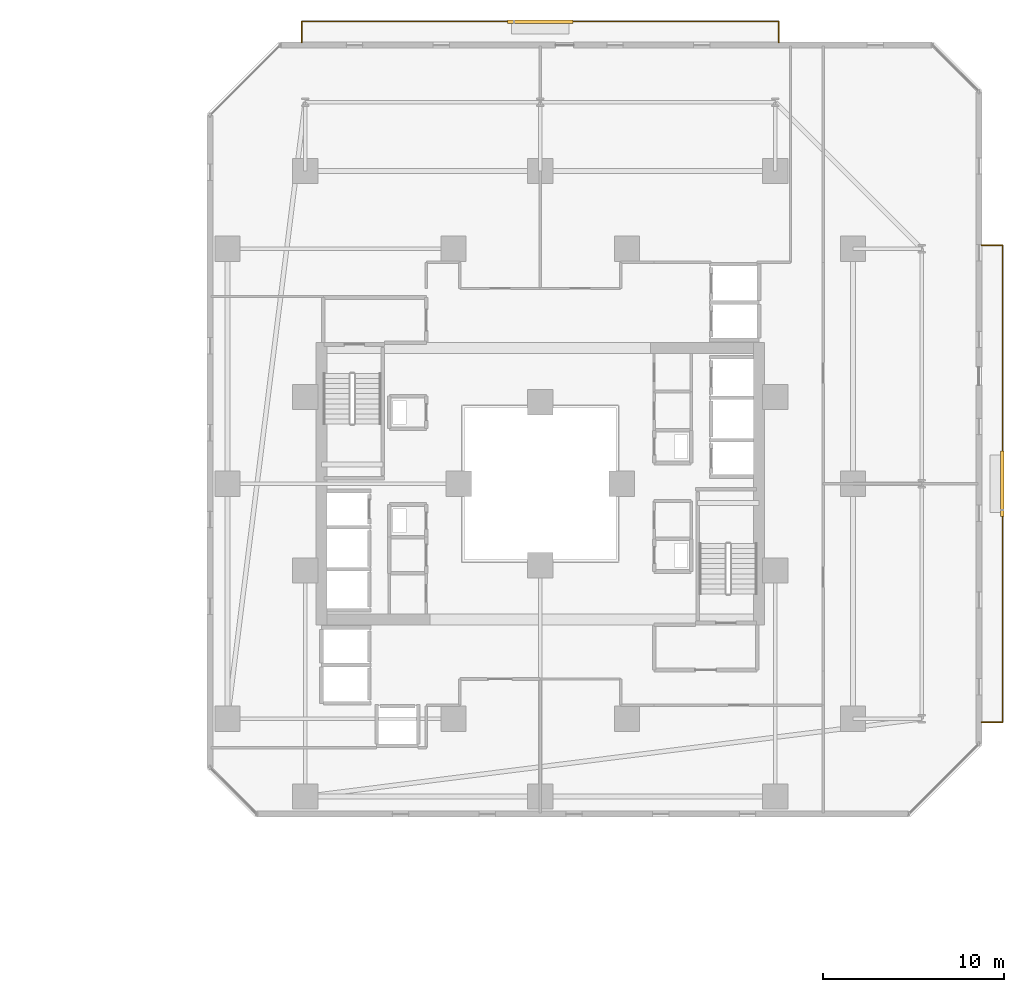
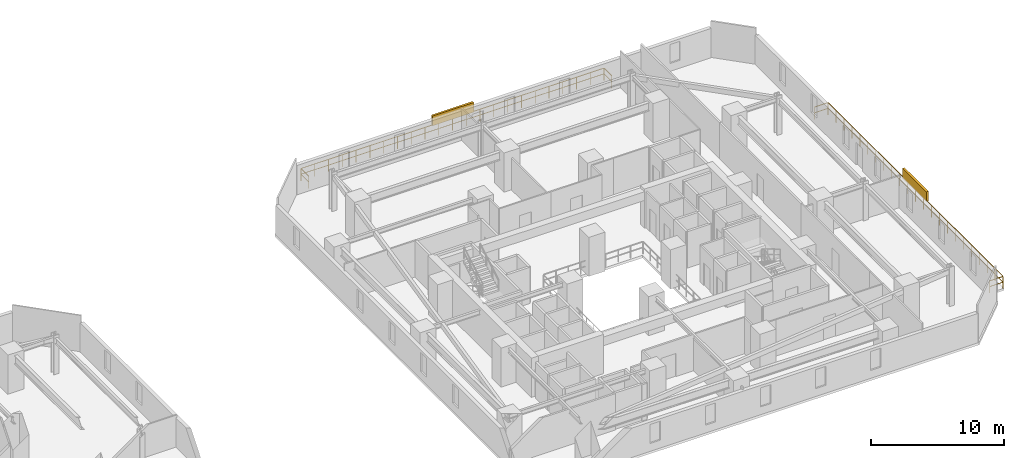
# One storey, part 34 of 34: 2 railings, 2 shading devices.
"""IFC4 building model written with IfcOpenShell, lengths in metres."""

from ifc_helpers import new_model, si_unit, direction, frame, origin, origin_2d, place, context, subcontext, project, spatial, rectangle, extrude, material, type_object, element, save


model = new_model("IFC4")

# Units and contexts
model_context = context("Model", 3, precision=1e-05, world=origin(), true_north=direction((0.0, 1.0)))
body_context = subcontext(model_context, "Body", "Model", "MODEL_VIEW")
ifc_project = project(units=[si_unit("LENGTHUNIT", "METRE"), si_unit("AREAUNIT", "SQUARE_METRE"), si_unit("VOLUMEUNIT", "CUBIC_METRE"), si_unit("PLANEANGLEUNIT", "RADIAN"), si_unit("MASSUNIT", "GRAM", prefix="KILO")], contexts=[model_context])

# Site, building, storey
site_placement = place(None, origin())
site = spatial("IfcSite", under=ifc_project, at=site_placement, CompositionType="ELEMENT")
building_placement = place(site_placement, origin())
building = spatial("IfcBuilding", under=site, at=building_placement, Name="Thornwick Lancets Civic Towers", CompositionType="ELEMENT")
storey_placement = place(building_placement, frame((0.0, 0.0, 53.699951171875)))
storey = spatial("IfcBuildingStorey", under=building, at=storey_placement, Name="L13", CompositionType="ELEMENT", Elevation=53.699951171875)

# Railings
ifc_material_1 = material(Name="Terracotta-capped laminated glass balustrade S355", Category="masonry")
railing_type = type_object("IfcRailingType", Name="RAIL_TERR_GUARD", PredefinedType="GUARDRAIL", material=ifc_material_1)
railing_1_placement = place(storey_placement, frame((112.89990234375, 13.800048828125, 0.0)))
element("IfcRailing", 1, at=railing_1_placement, inside=storey, type_object=railing_type, Name="L13 Tower B Balcony Guard E", PredefinedType="GUARDRAIL", context=body_context, shape_type="SweptSolid", body=[
    extrude(rectangle(XDim=0.048095703125, YDim=0.048095703125, at=origin_2d()), frame((0.0, 0.0, 1.1259765625), z_axis=(1.0, 0.0, 0.0), x_axis=(0.0, 1.0, 0.0)), (0.0, 0.0, 1.0), 1.138916015625),
    extrude(rectangle(XDim=0.0419921875, YDim=0.0419921875, at=origin_2d()), frame((0.03759765625, 0.0, 0.597900390625), z_axis=(1.0, 0.0, 0.0), x_axis=(0.0, 1.0, 0.0)), (0.0, 0.0, 1.0), 1.09521484375),
    extrude(rectangle(XDim=0.048095703125, YDim=0.048095703125, at=origin_2d()), frame((1.170166015625, 0.03125, 1.1259765625), z_axis=(0.0, 1.0, 0.0), x_axis=(-1.0, 0.0, 0.0)), (0.0, 0.0, 1.0), 26.33740234375),
    extrude(rectangle(XDim=0.0419921875, YDim=0.0419921875, at=origin_2d()), frame((1.170166015625, 0.03759765625, 0.597900390625), z_axis=(0.0, 1.0, 0.0), x_axis=(-1.0, 0.0, 0.0)), (0.0, 0.0, 1.0), 1.125),
    extrude(rectangle(XDim=0.0419921875, YDim=0.0419921875, at=origin_2d()), frame((1.170166015625, 1.237548828125, 0.597900390625), z_axis=(0.0, 1.0, 0.0), x_axis=(-1.0, 0.0, 0.0)), (0.0, 0.0, 1.0), 1.125),
    extrude(rectangle(XDim=0.0419921875, YDim=0.0419921875, at=origin_2d()), frame((1.170166015625, 2.4375, 0.597900390625), z_axis=(0.0, 1.0, 0.0), x_axis=(-1.0, 0.0, 0.0)), (0.0, 0.0, 1.0), 1.125),
    extrude(rectangle(XDim=0.0419921875, YDim=0.0419921875, at=origin_2d()), frame((1.170166015625, 3.637451171875, 0.597900390625), z_axis=(0.0, 1.0, 0.0), x_axis=(-1.0, 0.0, 0.0)), (0.0, 0.0, 1.0), 1.125),
    extrude(rectangle(XDim=0.0419921875, YDim=0.0419921875, at=origin_2d()), frame((1.170166015625, 4.83740234375, 0.597900390625), z_axis=(0.0, 1.0, 0.0), x_axis=(-1.0, 0.0, 0.0)), (0.0, 0.0, 1.0), 1.125),
    extrude(rectangle(XDim=0.0419921875, YDim=0.0419921875, at=origin_2d()), frame((1.170166015625, 6.037353515625, 0.597900390625), z_axis=(0.0, 1.0, 0.0), x_axis=(-1.0, 0.0, 0.0)), (0.0, 0.0, 1.0), 1.125),
    extrude(rectangle(XDim=0.0419921875, YDim=0.0419921875, at=origin_2d()), frame((1.170166015625, 7.237548828125, 0.597900390625), z_axis=(0.0, 1.0, 0.0), x_axis=(-1.0, 0.0, 0.0)), (0.0, 0.0, 1.0), 1.125),
    extrude(rectangle(XDim=0.0419921875, YDim=0.0419921875, at=origin_2d()), frame((1.170166015625, 8.4375, 0.597900390625), z_axis=(0.0, 1.0, 0.0), x_axis=(-1.0, 0.0, 0.0)), (0.0, 0.0, 1.0), 1.125),
    extrude(rectangle(XDim=0.0419921875, YDim=0.0419921875, at=origin_2d()), frame((1.170166015625, 9.637451171875, 0.597900390625), z_axis=(0.0, 1.0, 0.0), x_axis=(-1.0, 0.0, 0.0)), (0.0, 0.0, 1.0), 1.125),
    extrude(rectangle(XDim=0.0419921875, YDim=0.0419921875, at=origin_2d()), frame((1.170166015625, 10.83740234375, 0.597900390625), z_axis=(0.0, 1.0, 0.0), x_axis=(-1.0, 0.0, 0.0)), (0.0, 0.0, 1.0), 1.125),
    extrude(rectangle(XDim=0.0419921875, YDim=0.0419921875, at=origin_2d()), frame((1.170166015625, 12.037353515625, 0.597900390625), z_axis=(0.0, 1.0, 0.0), x_axis=(-1.0, 0.0, 0.0)), (0.0, 0.0, 1.0), 1.125),
    extrude(rectangle(XDim=0.0419921875, YDim=0.0419921875, at=origin_2d()), frame((1.170166015625, 13.237548828125, 0.597900390625), z_axis=(0.0, 1.0, 0.0), x_axis=(-1.0, 0.0, 0.0)), (0.0, 0.0, 1.0), 1.125),
    extrude(rectangle(XDim=0.0419921875, YDim=0.0419921875, at=origin_2d()), frame((1.170166015625, 14.4375, 0.597900390625), z_axis=(0.0, 1.0, 0.0), x_axis=(-1.0, 0.0, 0.0)), (0.0, 0.0, 1.0), 1.125),
    extrude(rectangle(XDim=0.0419921875, YDim=0.0419921875, at=origin_2d()), frame((1.170166015625, 15.637451171875, 0.597900390625), z_axis=(0.0, 1.0, 0.0), x_axis=(-1.0, 0.0, 0.0)), (0.0, 0.0, 1.0), 1.125),
    extrude(rectangle(XDim=0.0419921875, YDim=0.0419921875, at=origin_2d()), frame((1.170166015625, 16.83740234375, 0.597900390625), z_axis=(0.0, 1.0, 0.0), x_axis=(-1.0, 0.0, 0.0)), (0.0, 0.0, 1.0), 1.125),
    extrude(rectangle(XDim=0.0419921875, YDim=0.0419921875, at=origin_2d()), frame((1.170166015625, 18.037353515625, 0.597900390625), z_axis=(0.0, 1.0, 0.0), x_axis=(-1.0, 0.0, 0.0)), (0.0, 0.0, 1.0), 1.125),
    extrude(rectangle(XDim=0.0419921875, YDim=0.0419921875, at=origin_2d()), frame((1.170166015625, 19.2373046875, 0.597900390625), z_axis=(0.0, 1.0, 0.0), x_axis=(-1.0, 0.0, 0.0)), (0.0, 0.0, 1.0), 1.125),
    extrude(rectangle(XDim=0.0419921875, YDim=0.0419921875, at=origin_2d()), frame((1.170166015625, 20.4375, 0.597900390625), z_axis=(0.0, 1.0, 0.0), x_axis=(-1.0, 0.0, 0.0)), (0.0, 0.0, 1.0), 1.125),
    extrude(rectangle(XDim=0.0419921875, YDim=0.0419921875, at=origin_2d()), frame((1.170166015625, 21.637451171875, 0.597900390625), z_axis=(0.0, 1.0, 0.0), x_axis=(-1.0, 0.0, 0.0)), (0.0, 0.0, 1.0), 1.125),
    extrude(rectangle(XDim=0.0419921875, YDim=0.0419921875, at=origin_2d()), frame((1.170166015625, 22.83740234375, 0.597900390625), z_axis=(0.0, 1.0, 0.0), x_axis=(-1.0, 0.0, 0.0)), (0.0, 0.0, 1.0), 1.125),
    extrude(rectangle(XDim=0.0419921875, YDim=0.0419921875, at=origin_2d()), frame((1.170166015625, 24.037353515625, 0.597900390625), z_axis=(0.0, 1.0, 0.0), x_axis=(-1.0, 0.0, 0.0)), (0.0, 0.0, 1.0), 1.125),
    extrude(rectangle(XDim=0.0419921875, YDim=0.0419921875, at=origin_2d()), frame((1.170166015625, 25.2373046875, 0.597900390625), z_axis=(0.0, 1.0, 0.0), x_axis=(-1.0, 0.0, 0.0)), (0.0, 0.0, 1.0), 1.125),
    extrude(rectangle(XDim=0.048095703125, YDim=0.048095703125, at=origin_2d()), frame((1.138916015625, 26.39990234375, 1.1259765625), z_axis=(-1.0, 0.0, 0.0), x_axis=(0.0, -1.0, 0.0)), (0.0, 0.0, 1.0), 1.138916015625),
    extrude(rectangle(XDim=0.0419921875, YDim=0.0419921875, at=origin_2d()), frame((1.132568359375, 26.39990234375, 0.597900390625), z_axis=(-1.0, 0.0, 0.0), x_axis=(0.0, -1.0, 0.0)), (0.0, 0.0, 1.0), 1.09521484375),
    extrude(rectangle(XDim=0.0419921875, YDim=0.0419921875, at=origin_2d()), origin(), (0.0, 0.0, 1.0), 1.095703125),
    extrude(rectangle(XDim=0.0419921875, YDim=0.0419921875, at=origin_2d()), frame((1.170166015625, 0.0, 0.0)), (0.0, 0.0, 1.0), 1.095703125),
    extrude(rectangle(XDim=0.0419921875, YDim=0.0419921875, at=origin_2d()), frame((1.170166015625, 1.199951171875, 0.0)), (0.0, 0.0, 1.0), 1.095703125),
    extrude(rectangle(XDim=0.0419921875, YDim=0.0419921875, at=origin_2d()), frame((1.170166015625, 2.39990234375, 0.0)), (0.0, 0.0, 1.0), 1.095703125),
    extrude(rectangle(XDim=0.0419921875, YDim=0.0419921875, at=origin_2d()), frame((1.170166015625, 3.60009765625, 0.0)), (0.0, 0.0, 1.0), 1.095703125),
    extrude(rectangle(XDim=0.0419921875, YDim=0.0419921875, at=origin_2d()), frame((1.170166015625, 4.800048828125, 0.0)), (0.0, 0.0, 1.0), 1.095703125),
    extrude(rectangle(XDim=0.0419921875, YDim=0.0419921875, at=origin_2d()), frame((1.170166015625, 6.0, 0.0)), (0.0, 0.0, 1.0), 1.095703125),
    extrude(rectangle(XDim=0.0419921875, YDim=0.0419921875, at=origin_2d()), frame((1.170166015625, 7.199951171875, 0.0)), (0.0, 0.0, 1.0), 1.095703125),
    extrude(rectangle(XDim=0.0419921875, YDim=0.0419921875, at=origin_2d()), frame((1.170166015625, 8.39990234375, 0.0)), (0.0, 0.0, 1.0), 1.095703125),
    extrude(rectangle(XDim=0.0419921875, YDim=0.0419921875, at=origin_2d()), frame((1.170166015625, 9.599853515625, 0.0)), (0.0, 0.0, 1.0), 1.095703125),
    extrude(rectangle(XDim=0.0419921875, YDim=0.0419921875, at=origin_2d()), frame((1.170166015625, 10.800048828125, 0.0)), (0.0, 0.0, 1.0), 1.095703125),
    extrude(rectangle(XDim=0.0419921875, YDim=0.0419921875, at=origin_2d()), frame((1.170166015625, 12.0, 0.0)), (0.0, 0.0, 1.0), 1.095703125),
    extrude(rectangle(XDim=0.0419921875, YDim=0.0419921875, at=origin_2d()), frame((1.170166015625, 13.199951171875, 0.0)), (0.0, 0.0, 1.0), 1.095703125),
    extrude(rectangle(XDim=0.0419921875, YDim=0.0419921875, at=origin_2d()), frame((1.170166015625, 14.39990234375, 0.0)), (0.0, 0.0, 1.0), 1.095703125),
    extrude(rectangle(XDim=0.0419921875, YDim=0.0419921875, at=origin_2d()), frame((1.170166015625, 15.599853515625, 0.0)), (0.0, 0.0, 1.0), 1.095703125),
    extrude(rectangle(XDim=0.0419921875, YDim=0.0419921875, at=origin_2d()), frame((1.170166015625, 16.800048828125, 0.0)), (0.0, 0.0, 1.0), 1.095703125),
    extrude(rectangle(XDim=0.0419921875, YDim=0.0419921875, at=origin_2d()), frame((1.170166015625, 18.0, 0.0)), (0.0, 0.0, 1.0), 1.095703125),
    extrude(rectangle(XDim=0.0419921875, YDim=0.0419921875, at=origin_2d()), frame((1.170166015625, 19.199951171875, 0.0)), (0.0, 0.0, 1.0), 1.095703125),
    extrude(rectangle(XDim=0.0419921875, YDim=0.0419921875, at=origin_2d()), frame((1.170166015625, 20.39990234375, 0.0)), (0.0, 0.0, 1.0), 1.095703125),
    extrude(rectangle(XDim=0.0419921875, YDim=0.0419921875, at=origin_2d()), frame((1.170166015625, 21.599853515625, 0.0)), (0.0, 0.0, 1.0), 1.095703125),
    extrude(rectangle(XDim=0.0419921875, YDim=0.0419921875, at=origin_2d()), frame((1.170166015625, 22.7998046875, 0.0)), (0.0, 0.0, 1.0), 1.095703125),
    extrude(rectangle(XDim=0.0419921875, YDim=0.0419921875, at=origin_2d()), frame((1.170166015625, 24.0, 0.0)), (0.0, 0.0, 1.0), 1.095703125),
    extrude(rectangle(XDim=0.0419921875, YDim=0.0419921875, at=origin_2d()), frame((1.170166015625, 25.199951171875, 0.0)), (0.0, 0.0, 1.0), 1.095703125),
    extrude(rectangle(XDim=0.0419921875, YDim=0.0419921875, at=origin_2d()), frame((1.170166015625, 26.39990234375, 0.0)), (0.0, 0.0, 1.0), 1.095703125),
    extrude(rectangle(XDim=0.0419921875, YDim=0.0419921875, at=origin_2d()), frame((0.0, 26.39990234375, 0.0)), (0.0, 0.0, 1.0), 1.095703125),
])
railing_2_placement = place(storey_placement, frame((75.300048828125, 51.39990234375, 0.0)))
element("IfcRailing", 2, at=railing_2_placement, inside=storey, type_object=railing_type, Name="L13 Tower B Balcony Guard N", PredefinedType="GUARDRAIL", context=body_context, shape_type="SweptSolid", body=[
    extrude(rectangle(XDim=0.048095703125, YDim=0.048095703125, at=origin_2d()), frame((0.0, 0.0, 1.1259765625), z_axis=(0.0, 1.0, 0.0), x_axis=(-1.0, 0.0, 0.0)), (0.0, 0.0, 1.0), 1.138916015625),
    extrude(rectangle(XDim=0.0419921875, YDim=0.0419921875, at=origin_2d()), frame((0.0, 0.03759765625, 0.597900390625), z_axis=(0.0, 1.0, 0.0), x_axis=(-1.0, 0.0, 0.0)), (0.0, 0.0, 1.0), 1.09521484375),
    extrude(rectangle(XDim=0.048095703125, YDim=0.048095703125, at=origin_2d()), frame((0.03125, 1.170166015625, 1.1259765625), z_axis=(1.0, 0.0, 0.0), x_axis=(0.0, 1.0, 0.0)), (0.0, 0.0, 1.0), 26.33740234375),
    extrude(rectangle(XDim=0.0419921875, YDim=0.0419921875, at=origin_2d()), frame((0.03759765625, 1.170166015625, 0.597900390625), z_axis=(1.0, 0.0, 0.0), x_axis=(0.0, 1.0, 0.0)), (0.0, 0.0, 1.0), 1.125),
    extrude(rectangle(XDim=0.0419921875, YDim=0.0419921875, at=origin_2d()), frame((1.237548828125, 1.170166015625, 0.597900390625), z_axis=(1.0, 0.0, 0.0), x_axis=(0.0, 1.0, 0.0)), (0.0, 0.0, 1.0), 1.125),
    extrude(rectangle(XDim=0.0419921875, YDim=0.0419921875, at=origin_2d()), frame((2.4375, 1.170166015625, 0.597900390625), z_axis=(1.0, 0.0, 0.0), x_axis=(0.0, 1.0, 0.0)), (0.0, 0.0, 1.0), 1.125),
    extrude(rectangle(XDim=0.0419921875, YDim=0.0419921875, at=origin_2d()), frame((3.637451171875, 1.170166015625, 0.597900390625), z_axis=(1.0, 0.0, 0.0), x_axis=(0.0, 1.0, 0.0)), (0.0, 0.0, 1.0), 1.125),
    extrude(rectangle(XDim=0.0419921875, YDim=0.0419921875, at=origin_2d()), frame((4.83740234375, 1.170166015625, 0.597900390625), z_axis=(1.0, 0.0, 0.0), x_axis=(0.0, 1.0, 0.0)), (0.0, 0.0, 1.0), 1.125),
    extrude(rectangle(XDim=0.0419921875, YDim=0.0419921875, at=origin_2d()), frame((6.037353515625, 1.170166015625, 0.597900390625), z_axis=(1.0, 0.0, 0.0), x_axis=(0.0, 1.0, 0.0)), (0.0, 0.0, 1.0), 1.125),
    extrude(rectangle(XDim=0.0419921875, YDim=0.0419921875, at=origin_2d()), frame((7.237548828125, 1.170166015625, 0.597900390625), z_axis=(1.0, 0.0, 0.0), x_axis=(0.0, 1.0, 0.0)), (0.0, 0.0, 1.0), 1.125),
    extrude(rectangle(XDim=0.0419921875, YDim=0.0419921875, at=origin_2d()), frame((8.4375, 1.170166015625, 0.597900390625), z_axis=(1.0, 0.0, 0.0), x_axis=(0.0, 1.0, 0.0)), (0.0, 0.0, 1.0), 1.125),
    extrude(rectangle(XDim=0.0419921875, YDim=0.0419921875, at=origin_2d()), frame((9.637451171875, 1.170166015625, 0.597900390625), z_axis=(1.0, 0.0, 0.0), x_axis=(0.0, 1.0, 0.0)), (0.0, 0.0, 1.0), 1.125),
    extrude(rectangle(XDim=0.0419921875, YDim=0.0419921875, at=origin_2d()), frame((10.83740234375, 1.170166015625, 0.597900390625), z_axis=(1.0, 0.0, 0.0), x_axis=(0.0, 1.0, 0.0)), (0.0, 0.0, 1.0), 1.125),
    extrude(rectangle(XDim=0.0419921875, YDim=0.0419921875, at=origin_2d()), frame((12.037353515625, 1.170166015625, 0.597900390625), z_axis=(1.0, 0.0, 0.0), x_axis=(0.0, 1.0, 0.0)), (0.0, 0.0, 1.0), 1.125),
    extrude(rectangle(XDim=0.0419921875, YDim=0.0419921875, at=origin_2d()), frame((13.237548828125, 1.170166015625, 0.597900390625), z_axis=(1.0, 0.0, 0.0), x_axis=(0.0, 1.0, 0.0)), (0.0, 0.0, 1.0), 1.125),
    extrude(rectangle(XDim=0.0419921875, YDim=0.0419921875, at=origin_2d()), frame((14.4375, 1.170166015625, 0.597900390625), z_axis=(1.0, 0.0, 0.0), x_axis=(0.0, 1.0, 0.0)), (0.0, 0.0, 1.0), 1.125),
    extrude(rectangle(XDim=0.0419921875, YDim=0.0419921875, at=origin_2d()), frame((15.637451171875, 1.170166015625, 0.597900390625), z_axis=(1.0, 0.0, 0.0), x_axis=(0.0, 1.0, 0.0)), (0.0, 0.0, 1.0), 1.125),
    extrude(rectangle(XDim=0.0419921875, YDim=0.0419921875, at=origin_2d()), frame((16.83740234375, 1.170166015625, 0.597900390625), z_axis=(1.0, 0.0, 0.0), x_axis=(0.0, 1.0, 0.0)), (0.0, 0.0, 1.0), 1.125),
    extrude(rectangle(XDim=0.0419921875, YDim=0.0419921875, at=origin_2d()), frame((18.037353515625, 1.170166015625, 0.597900390625), z_axis=(1.0, 0.0, 0.0), x_axis=(0.0, 1.0, 0.0)), (0.0, 0.0, 1.0), 1.125),
    extrude(rectangle(XDim=0.0419921875, YDim=0.0419921875, at=origin_2d()), frame((19.2373046875, 1.170166015625, 0.597900390625), z_axis=(1.0, 0.0, 0.0), x_axis=(0.0, 1.0, 0.0)), (0.0, 0.0, 1.0), 1.125),
    extrude(rectangle(XDim=0.0419921875, YDim=0.0419921875, at=origin_2d()), frame((20.4375, 1.170166015625, 0.597900390625), z_axis=(1.0, 0.0, 0.0), x_axis=(0.0, 1.0, 0.0)), (0.0, 0.0, 1.0), 1.125),
    extrude(rectangle(XDim=0.0419921875, YDim=0.0419921875, at=origin_2d()), frame((21.637451171875, 1.170166015625, 0.597900390625), z_axis=(1.0, 0.0, 0.0), x_axis=(0.0, 1.0, 0.0)), (0.0, 0.0, 1.0), 1.125),
    extrude(rectangle(XDim=0.0419921875, YDim=0.0419921875, at=origin_2d()), frame((22.83740234375, 1.170166015625, 0.597900390625), z_axis=(1.0, 0.0, 0.0), x_axis=(0.0, 1.0, 0.0)), (0.0, 0.0, 1.0), 1.125),
    extrude(rectangle(XDim=0.0419921875, YDim=0.0419921875, at=origin_2d()), frame((24.037353515625, 1.170166015625, 0.597900390625), z_axis=(1.0, 0.0, 0.0), x_axis=(0.0, 1.0, 0.0)), (0.0, 0.0, 1.0), 1.125),
    extrude(rectangle(XDim=0.0419921875, YDim=0.0419921875, at=origin_2d()), frame((25.2373046875, 1.170166015625, 0.597900390625), z_axis=(1.0, 0.0, 0.0), x_axis=(0.0, 1.0, 0.0)), (0.0, 0.0, 1.0), 1.125),
    extrude(rectangle(XDim=0.048095703125, YDim=0.048095703125, at=origin_2d()), frame((26.39990234375, 1.138916015625, 1.1259765625), z_axis=(0.0, -1.0, 0.0), x_axis=(1.0, 0.0, 0.0)), (0.0, 0.0, 1.0), 1.138916015625),
    extrude(rectangle(XDim=0.0419921875, YDim=0.0419921875, at=origin_2d()), frame((26.39990234375, 1.132568359375, 0.597900390625), z_axis=(0.0, -1.0, 0.0), x_axis=(1.0, 0.0, 0.0)), (0.0, 0.0, 1.0), 1.09521484375),
    extrude(rectangle(XDim=0.0419921875, YDim=0.0419921875, at=origin_2d()), origin(), (0.0, 0.0, 1.0), 1.095703125),
    extrude(rectangle(XDim=0.0419921875, YDim=0.0419921875, at=origin_2d()), frame((0.0, 1.170166015625, 0.0)), (0.0, 0.0, 1.0), 1.095703125),
    extrude(rectangle(XDim=0.0419921875, YDim=0.0419921875, at=origin_2d()), frame((1.199951171875, 1.170166015625, 0.0)), (0.0, 0.0, 1.0), 1.095703125),
    extrude(rectangle(XDim=0.0419921875, YDim=0.0419921875, at=origin_2d()), frame((2.39990234375, 1.170166015625, 0.0)), (0.0, 0.0, 1.0), 1.095703125),
    extrude(rectangle(XDim=0.0419921875, YDim=0.0419921875, at=origin_2d()), frame((3.60009765625, 1.170166015625, 0.0)), (0.0, 0.0, 1.0), 1.095703125),
    extrude(rectangle(XDim=0.0419921875, YDim=0.0419921875, at=origin_2d()), frame((4.800048828125, 1.170166015625, 0.0)), (0.0, 0.0, 1.0), 1.095703125),
    extrude(rectangle(XDim=0.0419921875, YDim=0.0419921875, at=origin_2d()), frame((6.0, 1.170166015625, 0.0)), (0.0, 0.0, 1.0), 1.095703125),
    extrude(rectangle(XDim=0.0419921875, YDim=0.0419921875, at=origin_2d()), frame((7.199951171875, 1.170166015625, 0.0)), (0.0, 0.0, 1.0), 1.095703125),
    extrude(rectangle(XDim=0.0419921875, YDim=0.0419921875, at=origin_2d()), frame((8.39990234375, 1.170166015625, 0.0)), (0.0, 0.0, 1.0), 1.095703125),
    extrude(rectangle(XDim=0.0419921875, YDim=0.0419921875, at=origin_2d()), frame((9.599853515625, 1.170166015625, 0.0)), (0.0, 0.0, 1.0), 1.095703125),
    extrude(rectangle(XDim=0.0419921875, YDim=0.0419921875, at=origin_2d()), frame((10.800048828125, 1.170166015625, 0.0)), (0.0, 0.0, 1.0), 1.095703125),
    extrude(rectangle(XDim=0.0419921875, YDim=0.0419921875, at=origin_2d()), frame((12.0, 1.170166015625, 0.0)), (0.0, 0.0, 1.0), 1.095703125),
    extrude(rectangle(XDim=0.0419921875, YDim=0.0419921875, at=origin_2d()), frame((13.199951171875, 1.170166015625, 0.0)), (0.0, 0.0, 1.0), 1.095703125),
    extrude(rectangle(XDim=0.0419921875, YDim=0.0419921875, at=origin_2d()), frame((14.39990234375, 1.170166015625, 0.0)), (0.0, 0.0, 1.0), 1.095703125),
    extrude(rectangle(XDim=0.0419921875, YDim=0.0419921875, at=origin_2d()), frame((15.599853515625, 1.170166015625, 0.0)), (0.0, 0.0, 1.0), 1.095703125),
    extrude(rectangle(XDim=0.0419921875, YDim=0.0419921875, at=origin_2d()), frame((16.800048828125, 1.170166015625, 0.0)), (0.0, 0.0, 1.0), 1.095703125),
    extrude(rectangle(XDim=0.0419921875, YDim=0.0419921875, at=origin_2d()), frame((18.0, 1.170166015625, 0.0)), (0.0, 0.0, 1.0), 1.095703125),
    extrude(rectangle(XDim=0.0419921875, YDim=0.0419921875, at=origin_2d()), frame((19.199951171875, 1.170166015625, 0.0)), (0.0, 0.0, 1.0), 1.095703125),
    extrude(rectangle(XDim=0.0419921875, YDim=0.0419921875, at=origin_2d()), frame((20.39990234375, 1.170166015625, 0.0)), (0.0, 0.0, 1.0), 1.095703125),
    extrude(rectangle(XDim=0.0419921875, YDim=0.0419921875, at=origin_2d()), frame((21.599853515625, 1.170166015625, 0.0)), (0.0, 0.0, 1.0), 1.095703125),
    extrude(rectangle(XDim=0.0419921875, YDim=0.0419921875, at=origin_2d()), frame((22.7998046875, 1.170166015625, 0.0)), (0.0, 0.0, 1.0), 1.095703125),
    extrude(rectangle(XDim=0.0419921875, YDim=0.0419921875, at=origin_2d()), frame((24.0, 1.170166015625, 0.0)), (0.0, 0.0, 1.0), 1.095703125),
    extrude(rectangle(XDim=0.0419921875, YDim=0.0419921875, at=origin_2d()), frame((25.199951171875, 1.170166015625, 0.0)), (0.0, 0.0, 1.0), 1.095703125),
    extrude(rectangle(XDim=0.0419921875, YDim=0.0419921875, at=origin_2d()), frame((26.39990234375, 1.170166015625, 0.0)), (0.0, 0.0, 1.0), 1.095703125),
    extrude(rectangle(XDim=0.0419921875, YDim=0.0419921875, at=origin_2d()), frame((26.39990234375, 0.0, 0.0)), (0.0, 0.0, 1.0), 1.095703125),
])

# Shading devices
ifc_material_2 = material(Name="Extruded terracotta baguette solar screen", Category="masonry")
shading_device_type = type_object("IfcShadingDeviceType", Name="SHADE_BAGUETTE", PredefinedType="JALOUSIE", material=ifc_material_2)
for number, where, z_axis, x_axis, name in (
    (3, (114.06005859375, 27.0, 1.1201171875), (0.0, 0.0, 1.0), (0.0, 1.0, 0.0), "L13 Tower B Terracotta Baguette Screen E"),
    (4, (88.5, 52.56005859375, 1.1201171875), (0.0, 0.0, 1.0), (1.0, 0.0, 0.0), "L13 Tower B Terracotta Baguette Screen N"),
):
    element("IfcShadingDevice", number, at=place(storey_placement, frame(where, z_axis=z_axis, x_axis=x_axis)), inside=storey, type_object=shading_device_type, Name=name, PredefinedType="JALOUSIE", context=body_context, shape_type="SweptSolid", body=[
        extrude(rectangle(XDim=3.60009765625, YDim=0.179931640625, at=origin_2d()), origin(), (0.0, 0.0, 1.0), 0.89990234375),
    ])

save(model, "model.ifc")
